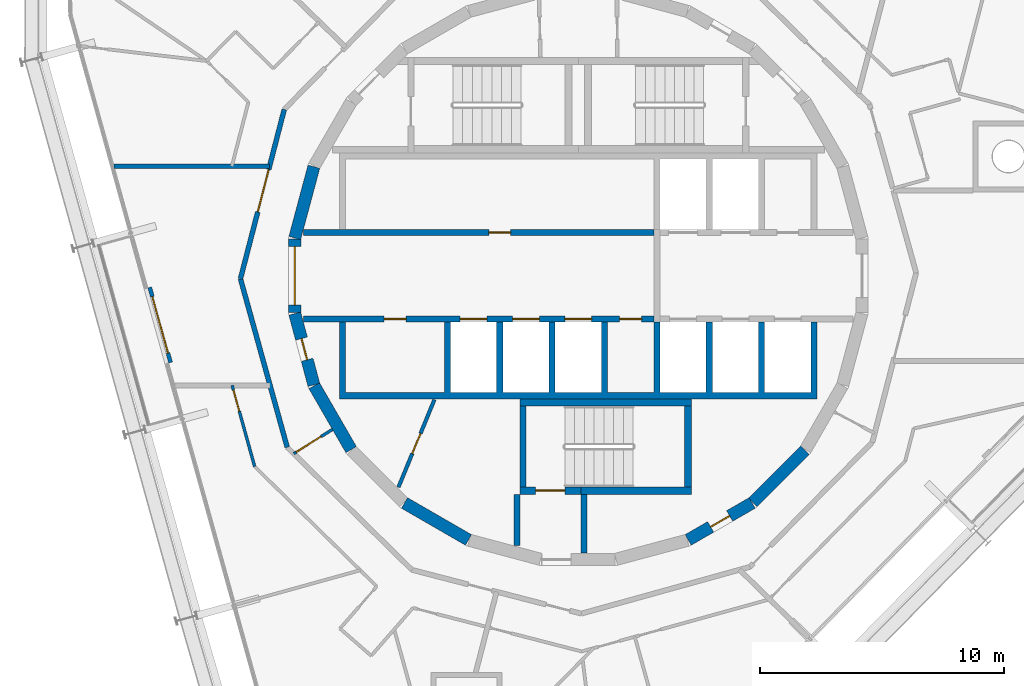
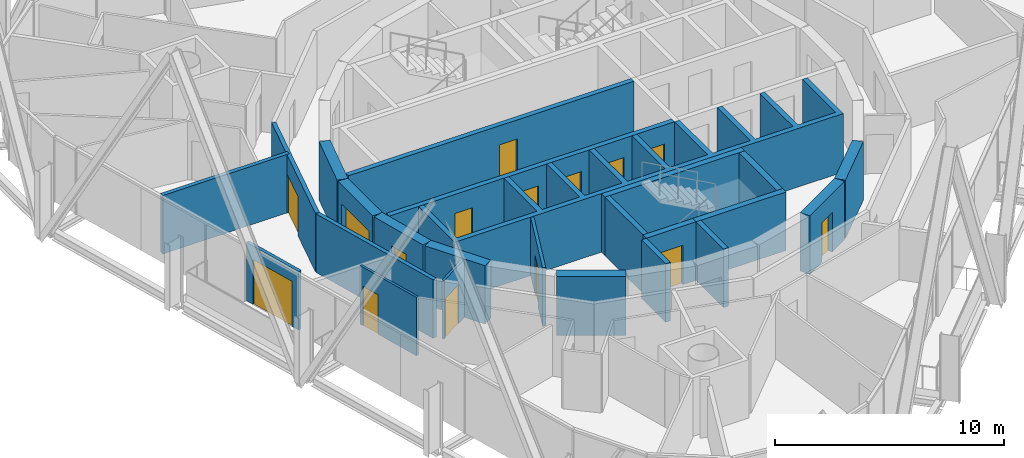
# One storey, part 10 of 15: 24 walls, 15 doors, 15 openings.
"""IFC4 building model written with IfcOpenShell, lengths in metres."""

import ifcopenshell
import ifcopenshell.guid

model = None  # the IFC model being written
_history = None  # IfcOwnerHistory: only IFC2X3 demands one
_inside = {}  # id of a spatial element -> (the spatial element, [elements in it])
_under = {}  # id of a project, library or spatial element -> (it, [spatial elements below it])
_declared = {}  # id of a project -> (the project, [libraries it declares])
_typed = {}  # id of a type object -> (the type object, [elements of that type])
_made_of = {}  # id of a material, layer set ... -> (it, [elements and type objects made of it])


def new_model(schema):
    """Start an empty IFC model of exactly this schema.

    Asked for "IFC4X3", IfcOpenShell would pick the latest addendum, in which some entities
    have other attributes; the version numbers below select the first issue.
    IFC2X3 requires an IfcOwnerHistory on every rooted entity: one is made here for all.
    """
    global model, _history
    if schema == "IFC4X3":
        model = ifcopenshell.file(schema_version=(4, 3, 0, 0))
    else:
        model = ifcopenshell.file(schema=schema)
    _inside.clear()
    _under.clear()
    _declared.clear()
    _typed.clear()
    _made_of.clear()
    _history = None
    if model.schema == "IFC2X3":
        org = make("IfcOrganization", Name="unknown")
        user = make(
            "IfcPersonAndOrganization",
            ThePerson=make("IfcPerson", FamilyName="unknown"),
            TheOrganization=org,
        )
        app = make(
            "IfcApplication",
            ApplicationDeveloper=org,
            Version="unknown",
            ApplicationFullName="unknown",
            ApplicationIdentifier="unknown",
        )
        _history = make(
            "IfcOwnerHistory",
            OwningUser=user,
            OwningApplication=app,
            ChangeAction="ADDED",
            CreationDate=0,
        )
    return model


def make(cls, **values):
    """One entity of the class cls with the attributes given. An attribute that is None is left unset."""
    return model.create_entity(
        cls, **{name: value for name, value in values.items() if value is not None}
    )


def rooted(cls, **values):
    """An entity with a GlobalId (a new one), such as an element, a storey or a relation."""
    return make(cls, GlobalId=ifcopenshell.guid.new(), OwnerHistory=_history, **values)


def si_unit(unit_type, name, prefix=None):
    """IfcSIUnit, for example si_unit("LENGTHUNIT", "METRE", prefix="MILLI")."""
    return make("IfcSIUnit", UnitType=unit_type, Prefix=prefix, Name=name)


def assignment(units):
    """IfcUnitAssignment: the units of a project."""
    return None if units is None else make("IfcUnitAssignment", Units=units)


def point(xyz):
    """IfcCartesianPoint."""
    return None if xyz is None else make("IfcCartesianPoint", Coordinates=xyz)


def direction(xyz):
    """IfcDirection."""
    return None if xyz is None else make("IfcDirection", DirectionRatios=xyz)


def frame(location, z_axis=None, x_axis=None):
    """IfcAxis2Placement3D, a coordinate frame: its origin and axes. An axis left out is left unset."""
    return make(
        "IfcAxis2Placement3D",
        Location=point(location),
        Axis=direction(z_axis),
        RefDirection=direction(x_axis),
    )


def frame_2d(location, x_axis=None):
    """IfcAxis2Placement2D, a coordinate frame in the plane: its origin and x axis."""
    return make(
        "IfcAxis2Placement2D", Location=point(location), RefDirection=direction(x_axis)
    )


def origin():
    """The frame at (0, 0, 0) with its axes left unset."""
    return frame((0.0, 0.0, 0.0))


def place(relative_to, where):
    """IfcLocalPlacement: puts the frame where relative to a parent placement (None: the world)."""
    return make(
        "IfcLocalPlacement", PlacementRelTo=relative_to, RelativePlacement=where
    )


def context(
    kind, dimensions, precision=None, world=None, true_north=None, identifier=None
):
    """IfcGeometricRepresentationContext, for example the 3D "Model" context."""
    return make(
        "IfcGeometricRepresentationContext",
        ContextIdentifier=identifier,
        ContextType=kind,
        CoordinateSpaceDimension=dimensions,
        Precision=precision,
        WorldCoordinateSystem=world,
        TrueNorth=true_north,
    )


def subcontext(parent, identifier, kind, view, scale=None):
    """IfcGeometricRepresentationSubContext, for example "Body" below "Model"."""
    return make(
        "IfcGeometricRepresentationSubContext",
        ContextIdentifier=identifier,
        ContextType=kind,
        ParentContext=parent,
        TargetScale=scale,
        TargetView=view,
    )


def project(units=None, contexts=None):
    """IfcProject with its units and contexts."""
    return rooted(
        "IfcProject",
        Name="project",
        RepresentationContexts=contexts,
        UnitsInContext=assignment(units),
    )


def spatial(cls, under=None, at=None, **own):
    """A site, building, storey or space (cls), placed at a placement, below another one or the project."""
    s = rooted(cls, ObjectPlacement=at, **own)
    if under is not None:
        _under.setdefault(under.id(), (under, []))[1].append(s)
    return s


def polyline(points):
    """IfcPolyline through the points."""
    return make("IfcPolyline", Points=[point(p) for p in points])


def profile(cls, at=None, kind="AREA", **sizes):
    """A parametric profile (cls). Its sizes go by their IFC names, for example OverallWidth=200.0."""
    return make(cls, ProfileType=kind, Position=at, **sizes)


def rectangle(**sizes):
    """IfcRectangleProfileDef."""
    return profile("IfcRectangleProfileDef", **sizes)


def outline(outer, holes=None, kind="AREA"):
    """IfcArbitraryClosedProfileDef: a profile drawn as a closed curve; with holes, ...WithVoids."""
    if holes is None:
        return make("IfcArbitraryClosedProfileDef", ProfileType=kind, OuterCurve=outer)
    return make(
        "IfcArbitraryProfileDefWithVoids",
        ProfileType=kind,
        OuterCurve=outer,
        InnerCurves=holes,
    )


def extrude(swept, where, along, depth):
    """IfcExtrudedAreaSolid: the profile swept, set in the frame where, extruded along a direction by depth."""
    return make(
        "IfcExtrudedAreaSolid",
        SweptArea=swept,
        Position=where,
        ExtrudedDirection=direction(along),
        Depth=depth,
    )


def shape(context_of_items, identifier, shape_type, items):
    """IfcShapeRepresentation: the items that make up one representation, for example the "Body"."""
    return make(
        "IfcShapeRepresentation",
        ContextOfItems=context_of_items,
        RepresentationIdentifier=identifier,
        RepresentationType=shape_type,
        Items=items,
    )


def material(Name=None, Category=None):
    """IfcMaterial."""
    return make("IfcMaterial", Name=Name, Category=Category)


def layer(
    of_material, thickness, ventilated=None, Name=None, Category=None, Priority=None
):
    """IfcMaterialLayer: one layer of a wall or slab, of a material (None: an air gap)."""
    return make(
        "IfcMaterialLayer",
        Material=of_material,
        LayerThickness=thickness,
        IsVentilated=ventilated,
        Name=Name,
        Category=Category,
        Priority=Priority,
    )


def layer_set(layers, Name=None):
    """IfcMaterialLayerSet."""
    return make("IfcMaterialLayerSet", MaterialLayers=layers, LayerSetName=Name)


def made_of(thing, what):
    """Note that an element or type object is made of a material, layer set ...; save() writes the relation."""
    if what is not None:
        _made_of.setdefault(what.id(), (what, []))[1].append(thing)
    return thing


def type_object(cls, material=None, **own):
    """A type object (cls), such as IfcWallType, which elements share."""
    return made_of(rooted(cls, **own), material)


def element(
    cls,
    number,
    at=None,
    inside=None,
    cuts=None,
    type_object=None,
    material=None,
    context=None,
    identifier="Body",
    shape_type=None,
    held_by="IfcProductDefinitionShape",
    body=None,
    shapes=None,
    **own,
):
    """One element of the class cls, such as IfcWall. Its Tag is "e" and its number.

    at: its placement. inside: the storey or other place that contains it. cuts: it is an
    opening in that element (IfcRelVoidsElement). A single representation is given by context,
    identifier, shape_type and body (its items); several are given by shapes. held_by: the class
    of the entity that holds the representations. save() writes the other relations.
    """
    e = rooted(cls, Tag="e%d" % number, ObjectPlacement=at, **own)
    if body is not None:
        shapes = [shape(context, identifier, shape_type, body)]
    if shapes is not None:
        e.Representation = make(held_by, Representations=shapes)
    if inside is not None:
        _inside.setdefault(inside.id(), (inside, []))[1].append(e)
    if cuts is not None:
        rooted(
            "IfcRelVoidsElement", RelatingBuildingElement=cuts, RelatedOpeningElement=e
        )
    if type_object is not None:
        _typed.setdefault(type_object.id(), (type_object, []))[1].append(e)
    return made_of(e, material)


def fill(opening, filler):
    """IfcRelFillsElement: the door or window that sits in an opening."""
    return rooted(
        "IfcRelFillsElement",
        RelatingOpeningElement=opening,
        RelatedBuildingElement=filler,
    )


def aggregate(whole, parts):
    """IfcRelAggregates: a whole, such as a stair, and the parts it consists of."""
    return rooted("IfcRelAggregates", RelatingObject=whole, RelatedObjects=parts)


def save(model, path):
    """Write the relations noted so far, then the file.

    IfcRelAggregates (storeys below a building ...), IfcRelContainedInSpatialStructure (elements
    in a storey), IfcRelDefinesByType, IfcRelAssociatesMaterial and IfcRelDeclares: one each for
    every whole, place, type object, material and project.
    """
    for whole, parts in _under.values():
        aggregate(whole, parts)
    for where, things in _inside.values():
        rooted(
            "IfcRelContainedInSpatialStructure",
            RelatedElements=things,
            RelatingStructure=where,
        )
    for kind, things in _typed.values():
        rooted("IfcRelDefinesByType", RelatedObjects=things, RelatingType=kind)
    for what, things in _made_of.values():
        rooted("IfcRelAssociatesMaterial", RelatedObjects=things, RelatingMaterial=what)
    for by, libraries in _declared.values():
        rooted("IfcRelDeclares", RelatingContext=by, RelatedDefinitions=libraries)
    model.write(path)


model = new_model("IFC4")

# Units and contexts
model_context = context("Model", 3, precision=1e-05, world=origin(), true_north=direction((0.0, 1.0)))
body_context = subcontext(model_context, "Body", "Model", "MODEL_VIEW")
ifc_project = project(units=[si_unit("LENGTHUNIT", "METRE"), si_unit("AREAUNIT", "SQUARE_METRE"), si_unit("VOLUMEUNIT", "CUBIC_METRE"), si_unit("PLANEANGLEUNIT", "RADIAN"), si_unit("MASSUNIT", "GRAM", prefix="KILO")], contexts=[model_context])

# Site, building, storey
site_placement = place(None, origin())
site = spatial("IfcSite", under=ifc_project, at=site_placement, CompositionType="ELEMENT")
building_placement = place(site_placement, origin())
building = spatial("IfcBuilding", under=site, at=building_placement, Name="Spindle Arch Residences", CompositionType="ELEMENT")
storey_placement = place(building_placement, frame((0.0, 0.0, 312.199951171875)))
storey = spatial("IfcBuildingStorey", under=building, at=storey_placement, Name="L80", CompositionType="ELEMENT", Elevation=312.199951171875)

# Wall, opening, door
ifc_material_1 = material(Name="Concrete C50/60", Category="concrete")
ifc_layer_1 = layer(ifc_material_1, 0.5)
ifc_layer_set_1 = layer_set([ifc_layer_1], Name="Core outline wall 500")
wall_type_1 = type_object("IfcWallType", Name="Core outline wall 500", PredefinedType="SHEAR", material=ifc_layer_set_1)
wall_1_placement = place(storey_placement, frame((4.510498046875, -10.84521484375, 0.0), z_axis=(0.0, 0.0, 1.0), x_axis=(0.865975092491, 0.500087131594, 0.0)))
wall_1 = element("IfcWall", 1, at=wall_1_placement, inside=storey, type_object=wall_type_1, Name="Core outline wall 2", PredefinedType="SHEAR", context=body_context, shape_type="SweptSolid", body=[
    extrude(rectangle(XDim=3.03271484375, YDim=0.5, at=frame_2d((1.516357421875, 0.0))), origin(), (0.0, 0.0, 1.0), 3.1201171875),
])
opening_1_placement = place(wall_1_placement, frame((1.06640625, 0.0, 0.0)))
opening_1 = element("IfcOpeningElement", 2, at=opening_1_placement, cuts=wall_1, Name="Opening R8B0-WD08", PredefinedType="OPENING", context=body_context, shape_type="SweptSolid", body=[
    extrude(rectangle(XDim=0.89990234375, YDim=2.10009765625, at=frame_2d((0.449951171875, 1.050048828125))), frame((0.0, 0.260009765625, 0.0), z_axis=(0.0, -1.0, 0.0), x_axis=(1.0, 0.0, 0.0)), (0.0, 0.0, 1.0), 0.52001953125),
])
ifc_material_2 = material(Name="Steel, fire-resisting door", Category="steel")
door_type_1 = type_object("IfcDoorType", Name="Service room door 900x2100", OperationType="SINGLE_SWING_LEFT", PredefinedType="DOOR", material=ifc_material_2)
door_1_placement = place(opening_1_placement, origin())
door_1 = element("IfcDoor", 3, at=door_1_placement, inside=storey, type_object=door_type_1, Name="Service room door R8B0-WD08", OperationType="SINGLE_SWING_RIGHT", OverallHeight=2.10009765625, OverallWidth=0.89990234375, PredefinedType="DOOR", context=body_context, shape_type="SweptSolid", body=[
    extrude(rectangle(XDim=0.89990234375, YDim=2.10009765625, at=frame_2d((0.449951171875, 1.050048828125))), frame((0.0, 0.02490234375, 0.0), z_axis=(0.0, -1.0, 0.0), x_axis=(1.0, 0.0, 0.0)), (0.0, 0.0, 1.0), 0.050048828125),
])
fill(opening_1, door_1)

# Walls
wall_2_placement = place(storey_placement, frame((7.163818359375, -9.30810546875, 0.0), z_axis=(0.0, 0.0, 1.0), x_axis=(0.707106781187, 0.707106781187, 0.0)))
element("IfcWall", 4, at=wall_2_placement, inside=storey, type_object=wall_type_1, Name="Core outline wall 3", PredefinedType="SHEAR", context=body_context, shape_type="SweptSolid", body=[
    extrude(rectangle(XDim=3.032470703125, YDim=0.5, at=frame_2d((1.51611328125, 0.0))), origin(), (0.0, 0.0, 1.0), 3.1201171875),
])
wall_3_placement = place(storey_placement, frame((-10.858154296875, 4.479248046875, 0.0), z_axis=(0.0, 0.0, 1.0), x_axis=(-0.258734743916, -0.965948410781, 0.0)))
element("IfcWall", 5, at=wall_3_placement, inside=storey, type_object=wall_type_1, Name="Core outline wall 17", PredefinedType="SHEAR", context=body_context, shape_type="SweptSolid", body=[
    extrude(rectangle(XDim=3.03271484375, YDim=0.5, at=frame_2d((1.516357421875, 0.0))), origin(), (0.0, 0.0, 1.0), 3.1201171875),
])

# Wall, opening, door
wall_4_placement = place(storey_placement, frame((-11.647216796875, 1.516357421875, 0.0), z_axis=(0.0, 0.0, 1.0), x_axis=(0.0, -1.0, 0.0)))
wall_4 = element("IfcWall", 6, at=wall_4_placement, inside=storey, type_object=wall_type_1, Name="Core outline wall 18", PredefinedType="SHEAR", context=body_context, shape_type="SweptSolid", body=[
    extrude(rectangle(XDim=3.03271484375, YDim=0.5, at=frame_2d((1.516357421875, 0.0))), origin(), (0.0, 0.0, 1.0), 3.1201171875),
])
opening_2_placement = place(wall_4_placement, frame((0.31640625, 0.0, 0.0)))
opening_2 = element("IfcOpeningElement", 7, at=opening_2_placement, cuts=wall_4, Name="Opening R8B0-LE01", PredefinedType="OPENING", context=body_context, shape_type="SweptSolid", body=[
    extrude(rectangle(XDim=2.39990234375, YDim=2.10009765625, at=frame_2d((1.199951171875, 1.050048828125))), frame((0.0, 0.260009765625, 0.0), z_axis=(0.0, -1.0, 0.0), x_axis=(1.0, 0.0, 0.0)), (0.0, 0.0, 1.0), 0.52001953125),
])
ifc_material_3 = material(Name="Steel, fire-resisting door", Category="steel")
door_type_2 = type_object("IfcDoorType", Name="Lift lobby entrance door 2400x2100", OperationType="DOUBLE_DOOR_SINGLE_SWING", PredefinedType="DOOR", material=ifc_material_3)
door_2_placement = place(opening_2_placement, origin())
door_2 = element("IfcDoor", 8, at=door_2_placement, inside=storey, type_object=door_type_2, Name="Lift lobby entrance door R8B0-LE01", OperationType="DOUBLE_DOOR_SINGLE_SWING", OverallHeight=2.10009765625, OverallWidth=2.39990234375, PredefinedType="DOOR", context=body_context, shape_type="SweptSolid", body=[
    extrude(rectangle(XDim=2.39990234375, YDim=2.10009765625, at=frame_2d((1.199951171875, 1.050048828125))), frame((0.0, 0.02490234375, 0.0), z_axis=(0.0, -1.0, 0.0), x_axis=(1.0, 0.0, 0.0)), (0.0, 0.0, 1.0), 0.050048828125),
])
fill(opening_2, door_2)

wall_5_placement = place(storey_placement, frame((-11.642822265625, -1.5498046875, 0.0), z_axis=(0.0, 0.0, 1.0), x_axis=(0.258734743916, -0.965948410781, 0.0)))
wall_5 = element("IfcWall", 9, at=wall_5_placement, inside=storey, type_object=wall_type_1, Name="Core outline wall 19", PredefinedType="SHEAR", context=body_context, shape_type="SweptSolid", body=[
    extrude(rectangle(XDim=3.03271484375, YDim=0.5, at=frame_2d((1.516357421875, 0.0))), origin(), (0.0, 0.0, 1.0), 3.1201171875),
])
opening_3_placement = place(wall_5_placement, frame((1.06640625, 0.0, 0.0)))
opening_3 = element("IfcOpeningElement", 10, at=opening_3_placement, cuts=wall_5, Name="Opening R8B0-WD09", PredefinedType="OPENING", context=body_context, shape_type="SweptSolid", body=[
    extrude(rectangle(XDim=0.89990234375, YDim=2.10009765625, at=frame_2d((0.449951171875, 1.050048828125))), frame((0.0, 0.260009765625, 0.0), z_axis=(0.0, -1.0, 0.0), x_axis=(1.0, 0.0, 0.0)), (0.0, 0.0, 1.0), 0.52001953125),
])
door_3_placement = place(opening_3_placement, origin())
door_3 = element("IfcDoor", 11, at=door_3_placement, inside=storey, type_object=door_type_1, Name="Service room door R8B0-WD09", OperationType="SINGLE_SWING_LEFT", OverallHeight=2.10009765625, OverallWidth=0.89990234375, PredefinedType="DOOR", context=body_context, shape_type="SweptSolid", body=[
    extrude(rectangle(XDim=0.89990234375, YDim=2.10009765625, at=frame_2d((0.449951171875, 1.050048828125))), frame((0.0, 0.02490234375, 0.0), z_axis=(0.0, -1.0, 0.0), x_axis=(1.0, 0.0, 0.0)), (0.0, 0.0, 1.0), 0.050048828125),
])
fill(opening_3, door_3)

# Walls
for number, where, z_axis, x_axis, name in (
    (12, (-10.84521484375, -4.510498046875, 0.0), (0.0, 0.0, 1.0), (0.500087131594, -0.865975092491, 0.0), "Core outline wall 20"),
    (13, (-7.13671875, -9.32861328125, 0.0), (0.0, 0.0, 1.0), (0.865975092491, -0.500087131594, 0.0), "Core outline wall 22"),
):
    element("IfcWall", number, at=place(storey_placement, frame(where, z_axis=z_axis, x_axis=x_axis)), inside=storey, type_object=wall_type_1, Name=name, PredefinedType="SHEAR", context=body_context, shape_type="SweptSolid", body=[
        extrude(rectangle(XDim=3.03271484375, YDim=0.5, at=frame_2d((1.516357421875, 0.0))), origin(), (0.0, 0.0, 1.0), 3.1201171875),
    ])

# Wall, opening, door
ifc_material_4 = material(Name="Plasterboard on steel studs", Category="steel")
ifc_layer_2 = layer(ifc_material_4, 0.1201171875)
ifc_layer_set_2 = layer_set([ifc_layer_2], Name="Corridor division wall 120")
wall_type_2 = type_object("IfcWallType", Name="Corridor division wall 120", PredefinedType="PARTITIONING", material=ifc_layer_set_2)
wall_6_placement = place(storey_placement, frame((-11.686767578125, -7.302734375, 0.0), z_axis=(0.0, 0.0, 1.0), x_axis=(0.848064094072, 0.529893661357, 0.0)))
wall_6 = element("IfcWall", 14, at=wall_6_placement, inside=storey, type_object=wall_type_2, Name="Corridor division wall R8B0-W003", PredefinedType="PARTITIONING", context=body_context, shape_type="SweptSolid", body=[
    extrude(rectangle(XDim=1.876220703125, YDim=0.1201171875, at=frame_2d((0.93798828125, 0.0))), origin(), (0.0, 0.0, 1.0), 3.1201171875),
])
opening_4_placement = place(wall_6_placement, frame((0.125, 0.0, 0.0)))
opening_4 = element("IfcOpeningElement", 15, at=opening_4_placement, cuts=wall_6, Name="Opening R8B0-CD03", PredefinedType="OPENING", context=body_context, shape_type="SweptSolid", body=[
    extrude(rectangle(XDim=1.199951171875, YDim=2.10009765625, at=frame_2d((0.60009765625, 1.050048828125))), frame((0.0, 0.070068359375, 0.0), z_axis=(0.0, -1.0, 0.0), x_axis=(1.0, 0.0, 0.0)), (0.0, 0.0, 1.0), 0.14013671875),
])
ifc_material_5 = material(Name="Steel, fire-resisting door", Category="steel")
door_type_3 = type_object("IfcDoorType", Name="Corridor division door 1200x2100", OperationType="NOTDEFINED", PredefinedType="DOOR", material=ifc_material_5)
door_4_placement = place(opening_4_placement, origin())
door_4 = element("IfcDoor", 16, at=door_4_placement, inside=storey, type_object=door_type_3, Name="Corridor division door R8B0-CD03", OperationType="DOUBLE_DOOR_SINGLE_SWING", OverallHeight=2.10009765625, OverallWidth=1.199951171875, PredefinedType="DOOR", context=body_context, shape_type="SweptSolid", body=[
    extrude(rectangle(XDim=1.199951171875, YDim=2.10009765625, at=frame_2d((0.60009765625, 1.050048828125))), frame((0.0, 0.02490234375, 0.0), z_axis=(0.0, -1.0, 0.0), x_axis=(1.0, 0.0, 0.0)), (0.0, 0.0, 1.0), 0.050048828125),
])
fill(opening_4, door_4)

ifc_material_6 = material(Name="Plasterboard on steel studs", Category="steel")
ifc_layer_3 = layer(ifc_material_6, 0.1201171875)
ifc_layer_set_3 = layer_set([ifc_layer_3], Name="Flat partition 120")
wall_type_3 = type_object("IfcWallType", Name="Flat partition 120", PredefinedType="PARTITIONING", material=ifc_layer_set_3)
wall_7_placement = place(storey_placement, frame((-14.21435546875, -4.5, 0.0), z_axis=(0.0, 0.0, 1.0), x_axis=(0.267199167841, -0.963641325756, 0.0)))
wall_7 = element("IfcWall", 17, at=wall_7_placement, inside=storey, type_object=wall_type_3, Name="Flat partition R8B0-W059", PredefinedType="PARTITIONING", context=body_context, shape_type="SweptSolid", body=[
    extrude(rectangle(XDim=3.45458984375, YDim=0.1201171875, at=frame_2d((1.727294921875, 0.0))), origin(), (0.0, 0.0, 1.0), 3.1201171875),
])
opening_5_placement = place(wall_7_placement, frame((0.199951171875, 0.0, 0.0)))
opening_5 = element("IfcOpeningElement", 18, at=opening_5_placement, cuts=wall_7, Name="Opening R8B0-ID12", PredefinedType="OPENING", context=body_context, shape_type="SweptSolid", body=[
    extrude(rectangle(XDim=0.89990234375, YDim=2.10009765625, at=frame_2d((0.449951171875, 1.050048828125))), frame((0.0, 0.070068359375, 0.0), z_axis=(0.0, -1.0, 0.0), x_axis=(1.0, 0.0, 0.0)), (0.0, 0.0, 1.0), 0.14013671875),
])
ifc_material_7 = material(Name="Timber door set", Category="wood")
door_type_4 = type_object("IfcDoorType", Name="Room door 900x2100", OperationType="NOTDEFINED", PredefinedType="DOOR", material=ifc_material_7)
door_5_placement = place(opening_5_placement, origin())
door_5 = element("IfcDoor", 19, at=door_5_placement, inside=storey, type_object=door_type_4, Name="Room door R8B0-ID12", OperationType="SINGLE_SWING_RIGHT", OverallHeight=2.10009765625, OverallWidth=0.89990234375, PredefinedType="DOOR", context=body_context, shape_type="SweptSolid", body=[
    extrude(rectangle(XDim=0.89990234375, YDim=2.10009765625, at=frame_2d((0.449951171875, 1.050048828125))), frame((0.0, 0.02490234375, 0.0), z_axis=(0.0, -1.0, 0.0), x_axis=(1.0, 0.0, 0.0)), (0.0, 0.0, 1.0), 0.050048828125),
])
fill(opening_5, door_5)

ifc_material_8 = material(Name="Non-combustible mineral wool insulated aluminium faced external wall (K0)", Category="aluminium")
ifc_layer_4 = layer(ifc_material_8, 0.159912109375)
ifc_layer_set_4 = layer_set([ifc_layer_4], Name="Insulated external wall panel 160")
wall_type_4 = type_object("IfcWallType", Name="Insulated external wall panel 160", PredefinedType="STANDARD", material=ifc_layer_set_4)
wall_8_placement = place(storey_placement, frame((-17.59765625, -0.47509765625, 0.0), z_axis=(0.0, 0.0, 1.0), x_axis=(0.267266077957, -0.963622770369, 0.0)))
wall_8 = element("IfcWall", 20, at=wall_8_placement, inside=storey, type_object=wall_type_4, Name="External wall L80 bay 13", PredefinedType="STANDARD", context=body_context, shape_type="SweptSolid", body=[
    extrude(rectangle(XDim=3.199951171875, YDim=0.159912109375, at=frame_2d((1.60009765625, 0.0))), origin(), (0.0, 0.0, 1.0), 3.1201171875),
])
opening_6_placement = place(wall_8_placement, frame((0.39990234375, 0.0, 0.0)))
opening_6 = element("IfcOpeningElement", 21, at=opening_6_placement, cuts=wall_8, Name="Opening BD13", PredefinedType="OPENING", context=body_context, shape_type="SweptSolid", body=[
    extrude(rectangle(XDim=2.39990234375, YDim=2.39990234375, at=frame_2d((1.199951171875, 1.199951171875))), frame((0.0, 0.08984375, 0.0), z_axis=(0.0, -1.0, 0.0), x_axis=(1.0, 0.0, 0.0)), (0.0, 0.0, 1.0), 0.179931640625),
])
ifc_material_9 = material(Name="Bronze aluminium frame, tinted double glazing", Category="aluminium")
door_type_5 = type_object("IfcDoorType", Name="Sliding glazed balcony door 2400x2400", OperationType="DOUBLE_DOOR_SLIDING", PredefinedType="DOOR", material=ifc_material_9)
door_6_placement = place(opening_6_placement, origin())
door_6 = element("IfcDoor", 22, at=door_6_placement, inside=storey, type_object=door_type_5, Name="Balcony door BD13", OperationType="DOUBLE_DOOR_SLIDING", OverallHeight=2.39990234375, OverallWidth=2.39990234375, PredefinedType="DOOR", context=body_context, shape_type="SweptSolid", body=[
    extrude(rectangle(XDim=2.39990234375, YDim=2.39990234375, at=frame_2d((1.199951171875, 1.199951171875))), frame((0.0, 0.02490234375, 0.0), z_axis=(0.0, -1.0, 0.0), x_axis=(1.0, 0.0, 0.0)), (0.0, 0.0, 1.0), 0.050048828125),
])
fill(opening_6, door_6)

ifc_material_10 = material(Name="Calcium silicate block, plastered")
ifc_layer_5 = layer(ifc_material_10, 0.199951171875)
ifc_layer_set_5 = layer_set([ifc_layer_5], Name="Lift lobby bay wall 200")
wall_type_5 = type_object("IfcWallType", Name="Lift lobby bay wall 200", PredefinedType="STANDARD", material=ifc_layer_set_5)
wall_9_placement = place(storey_placement, frame((-12.07421875, 6.831298828125, 0.0), z_axis=(0.0, 0.0, 1.0), x_axis=(-0.250391063186, -0.968144780225, 0.0)))
wall_9 = element("IfcWall", 23, at=wall_9_placement, inside=storey, type_object=wall_type_5, Name="Lift lobby bay wall R8B0-W010", PredefinedType="STANDARD", context=body_context, shape_type="SweptSolid", body=[
    extrude(rectangle(XDim=7.18115234375, YDim=0.199951171875, at=frame_2d((3.590576171875, 0.0))), origin(), (0.0, 0.0, 1.0), 3.1201171875),
])
opening_7_placement = place(wall_9_placement, frame((2.5478515625, 0.0, 0.0)))
opening_7 = element("IfcOpeningElement", 24, at=opening_7_placement, cuts=wall_9, Name="Opening R8B0-LB01", PredefinedType="OPENING", context=body_context, shape_type="SweptSolid", body=[
    extrude(rectangle(XDim=1.800048828125, YDim=2.10009765625, at=frame_2d((0.89990234375, 1.050048828125))), frame((0.0, 0.10986328125, 0.0), z_axis=(0.0, -1.0, 0.0), x_axis=(1.0, 0.0, 0.0)), (0.0, 0.0, 1.0), 0.219970703125),
])
ifc_material_11 = material(Name="Steel, fire-resisting door", Category="steel")
door_type_6 = type_object("IfcDoorType", Name="Lift lobby bay door 1800x2100", OperationType="NOTDEFINED", PredefinedType="DOOR", material=ifc_material_11)
door_7_placement = place(opening_7_placement, origin())
door_7 = element("IfcDoor", 25, at=door_7_placement, inside=storey, type_object=door_type_6, Name="Lift lobby bay door R8B0-LB01", OperationType="DOUBLE_DOOR_SINGLE_SWING", OverallHeight=2.10009765625, OverallWidth=1.800048828125, PredefinedType="DOOR", context=body_context, shape_type="SweptSolid", body=[
    extrude(rectangle(XDim=1.800048828125, YDim=2.10009765625, at=frame_2d((0.89990234375, 1.050048828125))), frame((0.0, 0.02490234375, 0.0), z_axis=(0.0, -1.0, 0.0), x_axis=(1.0, 0.0, 0.0)), (0.0, 0.0, 1.0), 0.050048828125),
])
fill(opening_7, door_7)

# Walls
wall_10_placement = place(storey_placement, frame((-13.872314453125, -0.12109375, 0.0), z_axis=(0.0, 0.0, 1.0), x_axis=(0.267254575108, -0.963625960674, 0.0)))
element("IfcWall", 26, at=wall_10_placement, inside=storey, type_object=wall_type_5, Name="Lift lobby bay wall R8B0-W011", PredefinedType="STANDARD", context=body_context, shape_type="SweptSolid", body=[
    extrude(rectangle(XDim=7.18115234375, YDim=0.199951171875, at=frame_2d((3.590576171875, 0.0))), origin(), (0.0, 0.0, 1.0), 3.1201171875),
])
wall_11_placement = place(storey_placement, frame((-12.677001953125, 4.5, 0.0), z_axis=(0.0, 0.0, 1.0), x_axis=(-1.0, 0.0, 0.0)))
element("IfcWall", 27, at=wall_11_placement, inside=storey, type_object=wall_type_5, Name="Lift lobby bay wall R8B0-W017", PredefinedType="STANDARD", context=body_context, shape_type="SweptSolid", body=[
    extrude(rectangle(XDim=6.38330078125, YDim=0.199951171875, at=frame_2d((3.191650390625, 0.0))), origin(), (0.0, 0.0, 1.0), 3.1201171875),
])

# Wall, opening, door
ifc_material_12 = material(Name="Concrete C50/60", Category="concrete")
ifc_layer_6 = layer(ifc_material_12, 0.25)
ifc_layer_set_6 = layer_set([ifc_layer_6], Name="Lift shaft wall 250")
wall_type_6 = type_object("IfcWallType", Name="Lift shaft wall 250", PredefinedType="SHEAR", material=ifc_layer_set_6)
wall_12_placement = place(storey_placement, frame((-11.280029296875, 1.77490234375, 0.0), z_axis=(0.0, 0.0, 1.0), x_axis=(1.0, 0.0, 0.0)))
wall_12 = element("IfcWall", 28, at=wall_12_placement, inside=storey, type_object=wall_type_6, Name="Lift shaft front wall NW", PredefinedType="SHEAR", context=body_context, shape_type="SweptSolid", body=[
    extrude(rectangle(XDim=14.380126953125, YDim=0.25, at=frame_2d((7.18994140625, 0.0))), origin(), (0.0, 0.0, 1.0), 3.1201171875),
])
opening_8_placement = place(wall_12_placement, frame((7.60498046875, 0.0, 0.0)))
opening_8 = element("IfcOpeningElement", 29, at=opening_8_placement, cuts=wall_12, Name="Opening R8B0-WD01", PredefinedType="OPENING", context=body_context, shape_type="SweptSolid", body=[
    extrude(rectangle(XDim=0.89990234375, YDim=2.10009765625, at=frame_2d((0.449951171875, 1.050048828125))), frame((0.0, 0.135009765625, 0.0), z_axis=(0.0, -1.0, 0.0), x_axis=(1.0, 0.0, 0.0)), (0.0, 0.0, 1.0), 0.27001953125),
])
door_8_placement = place(opening_8_placement, origin())
door_8 = element("IfcDoor", 30, at=door_8_placement, inside=storey, type_object=door_type_1, Name="Service room door R8B0-WD01", OperationType="SINGLE_SWING_LEFT", OverallHeight=2.10009765625, OverallWidth=0.89990234375, PredefinedType="DOOR", context=body_context, shape_type="SweptSolid", body=[
    extrude(rectangle(XDim=0.89990234375, YDim=2.10009765625, at=frame_2d((0.449951171875, 1.050048828125))), frame((0.0, 0.02490234375, 0.0), z_axis=(0.0, -1.0, 0.0), x_axis=(1.0, 0.0, 0.0)), (0.0, 0.0, 1.0), 0.050048828125),
])
fill(opening_8, door_8)

# Wall, openings, doors
wall_13_placement = place(storey_placement, frame((-11.280029296875, -1.77490234375, 0.0), z_axis=(0.0, 0.0, 1.0), x_axis=(1.0, 0.0, 0.0)))
wall_13 = element("IfcWall", 31, at=wall_13_placement, inside=storey, type_object=wall_type_6, Name="Lift shaft front wall SW", PredefinedType="SHEAR", context=body_context, shape_type="SweptSolid", body=[
    extrude(rectangle(XDim=14.380126953125, YDim=0.25, at=frame_2d((7.18994140625, 0.0))), origin(), (0.0, 0.0, 1.0), 3.1201171875),
])
opening_9_placement = place(wall_13_placement, frame((6.429931640625, 0.0, 0.0)))
opening_9 = element("IfcOpeningElement", 32, at=opening_9_placement, cuts=wall_13, Name="Opening R8B0-LD01", PredefinedType="OPENING", context=body_context, shape_type="SweptSolid", body=[
    extrude(rectangle(XDim=1.10009765625, YDim=2.10009765625, at=frame_2d((0.550048828125, 1.050048828125))), frame((0.0, 0.135009765625, 0.0), z_axis=(0.0, -1.0, 0.0), x_axis=(1.0, 0.0, 0.0)), (0.0, 0.0, 1.0), 0.27001953125),
])
opening_10_placement = place(wall_13_placement, frame((8.580078125, 0.0, 0.0)))
opening_10 = element("IfcOpeningElement", 33, at=opening_10_placement, cuts=wall_13, Name="Opening R8B0-LD02", PredefinedType="OPENING", context=body_context, shape_type="SweptSolid", body=[
    extrude(rectangle(XDim=1.10009765625, YDim=2.10009765625, at=frame_2d((0.550048828125, 1.050048828125))), frame((0.0, 0.135009765625, 0.0), z_axis=(0.0, -1.0, 0.0), x_axis=(1.0, 0.0, 0.0)), (0.0, 0.0, 1.0), 0.27001953125),
])
opening_11_placement = place(wall_13_placement, frame((10.72998046875, 0.0, 0.0)))
opening_11 = element("IfcOpeningElement", 34, at=opening_11_placement, cuts=wall_13, Name="Opening R8B0-LD03", PredefinedType="OPENING", context=body_context, shape_type="SweptSolid", body=[
    extrude(rectangle(XDim=1.10009765625, YDim=2.10009765625, at=frame_2d((0.550048828125, 1.050048828125))), frame((0.0, 0.135009765625, 0.0), z_axis=(0.0, -1.0, 0.0), x_axis=(1.0, 0.0, 0.0)), (0.0, 0.0, 1.0), 0.27001953125),
])
opening_12_placement = place(wall_13_placement, frame((3.304931640625, 0.0, 0.0)))
opening_12 = element("IfcOpeningElement", 35, at=opening_12_placement, cuts=wall_13, Name="Opening R8B0-WD03", PredefinedType="OPENING", context=body_context, shape_type="SweptSolid", body=[
    extrude(rectangle(XDim=0.89990234375, YDim=2.10009765625, at=frame_2d((0.449951171875, 1.050048828125))), frame((0.0, 0.135009765625, 0.0), z_axis=(0.0, -1.0, 0.0), x_axis=(1.0, 0.0, 0.0)), (0.0, 0.0, 1.0), 0.27001953125),
])
opening_13_placement = place(wall_13_placement, frame((12.97998046875, 0.0, 0.0)))
opening_13 = element("IfcOpeningElement", 36, at=opening_13_placement, cuts=wall_13, Name="Opening R8B0-WD04", PredefinedType="OPENING", context=body_context, shape_type="SweptSolid", body=[
    extrude(rectangle(XDim=0.89990234375, YDim=2.10009765625, at=frame_2d((0.449951171875, 1.050048828125))), frame((0.0, 0.135009765625, 0.0), z_axis=(0.0, -1.0, 0.0), x_axis=(1.0, 0.0, 0.0)), (0.0, 0.0, 1.0), 0.27001953125),
])
ifc_material_13 = material(Name="Steel, fire-resisting landing door", Category="steel")
door_type_7 = type_object("IfcDoorType", Name="Lift landing door 1100x2100", OperationType="DOUBLE_DOOR_SLIDING", PredefinedType="DOOR", material=ifc_material_13)
door_9_placement = place(opening_9_placement, origin())
door_9 = element("IfcDoor", 37, at=door_9_placement, inside=storey, type_object=door_type_7, Name="Lift landing door R8B0-LD01", OperationType="DOUBLE_DOOR_SLIDING", OverallHeight=2.10009765625, OverallWidth=1.10009765625, PredefinedType="DOOR", context=body_context, shape_type="SweptSolid", body=[
    extrude(rectangle(XDim=1.10009765625, YDim=2.10009765625, at=frame_2d((0.550048828125, 1.050048828125))), frame((0.0, 0.02490234375, 0.0), z_axis=(0.0, -1.0, 0.0), x_axis=(1.0, 0.0, 0.0)), (0.0, 0.0, 1.0), 0.050048828125),
])
fill(opening_9, door_9)
door_10_placement = place(opening_10_placement, origin())
door_10 = element("IfcDoor", 38, at=door_10_placement, inside=storey, type_object=door_type_7, Name="Lift landing door R8B0-LD02", OperationType="DOUBLE_DOOR_SLIDING", OverallHeight=2.10009765625, OverallWidth=1.10009765625, PredefinedType="DOOR", context=body_context, shape_type="SweptSolid", body=[
    extrude(rectangle(XDim=1.10009765625, YDim=2.10009765625, at=frame_2d((0.550048828125, 1.050048828125))), frame((0.0, 0.02490234375, 0.0), z_axis=(0.0, -1.0, 0.0), x_axis=(1.0, 0.0, 0.0)), (0.0, 0.0, 1.0), 0.050048828125),
])
fill(opening_10, door_10)
door_11_placement = place(opening_11_placement, origin())
door_11 = element("IfcDoor", 39, at=door_11_placement, inside=storey, type_object=door_type_7, Name="Lift landing door R8B0-LD03", OperationType="DOUBLE_DOOR_SLIDING", OverallHeight=2.10009765625, OverallWidth=1.10009765625, PredefinedType="DOOR", context=body_context, shape_type="SweptSolid", body=[
    extrude(rectangle(XDim=1.10009765625, YDim=2.10009765625, at=frame_2d((0.550048828125, 1.050048828125))), frame((0.0, 0.02490234375, 0.0), z_axis=(0.0, -1.0, 0.0), x_axis=(1.0, 0.0, 0.0)), (0.0, 0.0, 1.0), 0.050048828125),
])
fill(opening_11, door_11)
door_12_placement = place(opening_12_placement, origin())
door_12 = element("IfcDoor", 40, at=door_12_placement, inside=storey, type_object=door_type_1, Name="Service room door R8B0-WD03", OperationType="SINGLE_SWING_LEFT", OverallHeight=2.10009765625, OverallWidth=0.89990234375, PredefinedType="DOOR", context=body_context, shape_type="SweptSolid", body=[
    extrude(rectangle(XDim=0.89990234375, YDim=2.10009765625, at=frame_2d((0.449951171875, 1.050048828125))), frame((0.0, 0.02490234375, 0.0), z_axis=(0.0, -1.0, 0.0), x_axis=(1.0, 0.0, 0.0)), (0.0, 0.0, 1.0), 0.050048828125),
])
fill(opening_12, door_12)
door_13_placement = place(opening_13_placement, origin())
door_13 = element("IfcDoor", 41, at=door_13_placement, inside=storey, type_object=door_type_1, Name="Service room door R8B0-WD04", OperationType="SINGLE_SWING_RIGHT", OverallHeight=2.10009765625, OverallWidth=0.89990234375, PredefinedType="DOOR", context=body_context, shape_type="SweptSolid", body=[
    extrude(rectangle(XDim=0.89990234375, YDim=2.10009765625, at=frame_2d((0.449951171875, 1.050048828125))), frame((0.0, 0.02490234375, 0.0), z_axis=(0.0, -1.0, 0.0), x_axis=(1.0, 0.0, 0.0)), (0.0, 0.0, 1.0), 0.050048828125),
])
fill(opening_13, door_13)

# Wall
ifc_material_14 = material(Name="Concrete C50/60", Category="concrete")
wall_type_7 = type_object("IfcWallType", Name="Lift shaft wall profile", PredefinedType="SHEAR", material=ifc_material_14)
wall_14_placement = place(storey_placement, origin())
element("IfcWall", 42, at=wall_14_placement, inside=storey, type_object=wall_type_7, Name="Lift shaft walls S", PredefinedType="SHEAR", context=body_context, shape_type="SweptSolid", body=[
    extrude(outline(polyline([(9.800048828125, -5.050048828125), (9.800048828125, -4.800048828125), (9.800048828125, -1.89990234375), (9.550048828125, -1.89990234375), (9.550048828125, -4.800048828125), (7.64990234375, -4.800048828125), (7.64990234375, -1.89990234375), (7.39990234375, -1.89990234375), (7.39990234375, -4.800048828125), (5.5, -4.800048828125), (5.5, -1.89990234375), (5.25, -1.89990234375), (5.25, -4.800048828125), (3.35009765625, -4.800048828125), (3.35009765625, -1.89990234375), (3.10009765625, -1.89990234375), (3.10009765625, -4.800048828125), (1.199951171875, -4.800048828125), (1.199951171875, -1.89990234375), (0.949951171875, -1.89990234375), (0.949951171875, -4.800048828125), (-0.949951171875, -4.800048828125), (-0.949951171875, -1.89990234375), (-1.199951171875, -1.89990234375), (-1.199951171875, -4.800048828125), (-3.10009765625, -4.800048828125), (-3.10009765625, -1.89990234375), (-3.35009765625, -1.89990234375), (-3.35009765625, -4.800048828125), (-5.25, -4.800048828125), (-5.25, -1.89990234375), (-5.5, -1.89990234375), (-5.5, -4.800048828125), (-9.550048828125, -4.800048828125), (-9.550048828125, -1.89990234375), (-9.800048828125, -1.89990234375), (-9.800048828125, -4.800048828125), (-9.800048828125, -5.050048828125), (9.800048828125, -5.050048828125)])), origin(), (0.0, 0.0, 1.0), 3.1201171875),
])

# Wall, opening, door
ifc_material_15 = material(Name="Concrete C25/30", Category="concrete")
ifc_layer_7 = layer(ifc_material_15, 0.14990234375)
ifc_layer_set_7 = layer_set([ifc_layer_7], Name="Service room partition 150")
wall_type_8 = type_object("IfcWallType", Name="Service room partition 150", PredefinedType="PARTITIONING", material=ifc_layer_set_7)
wall_15_placement = place(storey_placement, frame((-7.385009765625, -8.680908203125, 0.0), z_axis=(0.0, 0.0, 1.0), x_axis=(0.379804590409, 0.925066739811, 0.0)))
wall_15 = element("IfcWall", 43, at=wall_15_placement, inside=storey, type_object=wall_type_8, Name="Core service room partition", PredefinedType="PARTITIONING", context=body_context, shape_type="SweptSolid", body=[
    extrude(rectangle(XDim=3.885009765625, YDim=0.14990234375, at=frame_2d((1.9423828125, 0.0))), origin(), (0.0, 0.0, 1.0), 3.1201171875),
])
opening_14_placement = place(wall_15_placement, frame((1.49267578125, 0.0, 0.0)))
opening_14 = element("IfcOpeningElement", 44, at=opening_14_placement, cuts=wall_15, Name="Opening R8B0-WD05", PredefinedType="OPENING", context=body_context, shape_type="SweptSolid", body=[
    extrude(rectangle(XDim=0.89990234375, YDim=2.10009765625, at=frame_2d((0.449951171875, 1.050048828125))), frame((0.0, 0.0849609375, 0.0), z_axis=(0.0, -1.0, 0.0), x_axis=(1.0, 0.0, 0.0)), (0.0, 0.0, 1.0), 0.169921875),
])
door_14_placement = place(opening_14_placement, origin())
door_14 = element("IfcDoor", 45, at=door_14_placement, inside=storey, type_object=door_type_1, Name="Service room door R8B0-WD05", OperationType="SINGLE_SWING_LEFT", OverallHeight=2.10009765625, OverallWidth=0.89990234375, PredefinedType="DOOR", context=body_context, shape_type="SweptSolid", body=[
    extrude(rectangle(XDim=0.89990234375, YDim=2.10009765625, at=frame_2d((0.449951171875, 1.050048828125))), frame((0.0, 0.02490234375, 0.0), z_axis=(0.0, -1.0, 0.0), x_axis=(1.0, 0.0, 0.0)), (0.0, 0.0, 1.0), 0.050048828125),
])
fill(opening_14, door_14)

# Walls
ifc_material_16 = material(Name="Concrete C40/50", Category="concrete")
ifc_layer_8 = layer(ifc_material_16, 0.25)
ifc_layer_set_8 = layer_set([ifc_layer_8], Name="Stair airlock wall 250")
wall_type_9 = type_object("IfcWallType", Name="Stair airlock wall 250", PredefinedType="SHEAR", material=ifc_layer_set_8)
wall_16_placement = place(storey_placement, frame((-2.52490234375, -8.969970703125, 0.0), z_axis=(0.0, 0.0, 1.0), x_axis=(0.0, -1.0, 0.0)))
element("IfcWall", 46, at=wall_16_placement, inside=storey, type_object=wall_type_9, Name="Stair ST-3 airlock wall W", PredefinedType="SHEAR", context=body_context, shape_type="SweptSolid", body=[
    extrude(rectangle(XDim=2.110107421875, YDim=0.25, at=frame_2d((1.05517578125, 0.0))), origin(), (0.0, 0.0, 1.0), 3.1201171875),
])
wall_17_placement = place(storey_placement, frame((0.22509765625, -8.969970703125, 0.0), z_axis=(0.0, 0.0, 1.0), x_axis=(0.0, -1.0, 0.0)))
element("IfcWall", 47, at=wall_17_placement, inside=storey, type_object=wall_type_9, Name="Stair ST-3 airlock wall E", PredefinedType="SHEAR", context=body_context, shape_type="SweptSolid", body=[
    extrude(rectangle(XDim=2.409912109375, YDim=0.25, at=frame_2d((1.205078125, 0.0))), origin(), (0.0, 0.0, 1.0), 3.1201171875),
])
ifc_material_17 = material(Name="Concrete C50/60", Category="concrete")
ifc_layer_9 = layer(ifc_material_17, 0.25)
ifc_layer_set_9 = layer_set([ifc_layer_9], Name="Stair enclosure wall 250")
wall_type_10 = type_object("IfcWallType", Name="Stair enclosure wall 250", PredefinedType="SHEAR", material=ifc_layer_set_9)
wall_18_placement = place(storey_placement, frame((-2.27490234375, -8.669921875, 0.0), z_axis=(0.0, 0.0, 1.0), x_axis=(0.0, 1.0, 0.0)))
element("IfcWall", 48, at=wall_18_placement, inside=storey, type_object=wall_type_10, Name="Stair ST-3 enclosure wall W", PredefinedType="SHEAR", context=body_context, shape_type="SweptSolid", body=[
    extrude(rectangle(XDim=3.31982421875, YDim=0.25, at=frame_2d((1.659912109375, 0.0))), origin(), (0.0, 0.0, 1.0), 3.1201171875),
])
ifc_material_18 = material(Name="Concrete C50/60", Category="concrete")
ifc_layer_10 = layer(ifc_material_18, 0.300048828125)
ifc_layer_set_10 = layer_set([ifc_layer_10], Name="Stair enclosure wall 300")
wall_type_11 = type_object("IfcWallType", Name="Stair enclosure wall 300", PredefinedType="SHEAR", material=ifc_layer_set_10)
wall_19_placement = place(storey_placement, frame((-2.39990234375, -5.199951171875, 0.0), z_axis=(0.0, 0.0, 1.0), x_axis=(1.0, 0.0, 0.0)))
element("IfcWall", 49, at=wall_19_placement, inside=storey, type_object=wall_type_11, Name="Stair ST-3 enclosure wall N", PredefinedType="SHEAR", context=body_context, shape_type="SweptSolid", body=[
    extrude(rectangle(XDim=7.0498046875, YDim=0.300048828125, at=frame_2d((3.52490234375, 0.0))), origin(), (0.0, 0.0, 1.0), 3.1201171875),
])
wall_20_placement = place(storey_placement, frame((4.5, -8.669921875, 0.0), z_axis=(0.0, 0.0, 1.0), x_axis=(0.0, 1.0, 0.0)))
element("IfcWall", 50, at=wall_20_placement, inside=storey, type_object=wall_type_11, Name="Stair ST-3 enclosure wall E", PredefinedType="SHEAR", context=body_context, shape_type="SweptSolid", body=[
    extrude(rectangle(XDim=3.31982421875, YDim=0.300048828125, at=frame_2d((1.659912109375, 0.0))), origin(), (0.0, 0.0, 1.0), 3.1201171875),
])
wall_21_placement = place(storey_placement, frame((0.10009765625, -8.820068359375, 0.0), z_axis=(0.0, 0.0, 1.0), x_axis=(1.0, 0.0, 0.0)))
element("IfcWall", 51, at=wall_21_placement, inside=storey, type_object=wall_type_11, Name="Stair ST-3 enclosure wall S", PredefinedType="SHEAR", context=body_context, shape_type="SweptSolid", body=[
    extrude(rectangle(XDim=4.5498046875, YDim=0.300048828125, at=frame_2d((2.27490234375, 0.0))), origin(), (0.0, 0.0, 1.0), 3.1201171875),
])

# Wall, opening, door
wall_22_placement = place(storey_placement, frame((-2.39990234375, -8.820068359375, 0.0), z_axis=(0.0, 0.0, 1.0), x_axis=(1.0, 0.0, 0.0)))
wall_22 = element("IfcWall", 52, at=wall_22_placement, inside=storey, type_object=wall_type_11, Name="Stair ST-3 door wall", PredefinedType="SHEAR", context=body_context, shape_type="SweptSolid", body=[
    extrude(rectangle(XDim=2.5, YDim=0.300048828125, at=frame_2d((1.25, 0.0))), origin(), (0.0, 0.0, 1.0), 3.1201171875),
])
opening_15_placement = place(wall_22_placement, frame((0.64990234375, 0.0, 0.0)))
opening_15 = element("IfcOpeningElement", 53, at=opening_15_placement, cuts=wall_22, Name="Opening R8B0-SD03", PredefinedType="OPENING", context=body_context, shape_type="SweptSolid", body=[
    extrude(rectangle(XDim=1.199951171875, YDim=2.10009765625, at=frame_2d((0.60009765625, 1.050048828125))), frame((0.0, 0.16015625, 0.0), z_axis=(0.0, -1.0, 0.0), x_axis=(1.0, 0.0, 0.0)), (0.0, 0.0, 1.0), 0.320068359375),
])
ifc_material_19 = material(Name="Steel, fire-resisting door", Category="steel")
door_type_8 = type_object("IfcDoorType", Name="Stair door 1200x2100", OperationType="SINGLE_SWING_RIGHT", PredefinedType="DOOR", material=ifc_material_19)
door_15_placement = place(opening_15_placement, origin())
door_15 = element("IfcDoor", 54, at=door_15_placement, inside=storey, type_object=door_type_8, Name="Stair door R8B0-SD03", OperationType="SINGLE_SWING_LEFT", OverallHeight=2.10009765625, OverallWidth=1.199951171875, PredefinedType="DOOR", context=body_context, shape_type="SweptSolid", body=[
    extrude(rectangle(XDim=1.199951171875, YDim=2.10009765625, at=frame_2d((0.60009765625, 1.050048828125))), frame((0.0, 0.02490234375, 0.0), z_axis=(0.0, -1.0, 0.0), x_axis=(1.0, 0.0, 0.0)), (0.0, 0.0, 1.0), 0.050048828125),
])
fill(opening_15, door_15)

save(model, "model.ifc")
